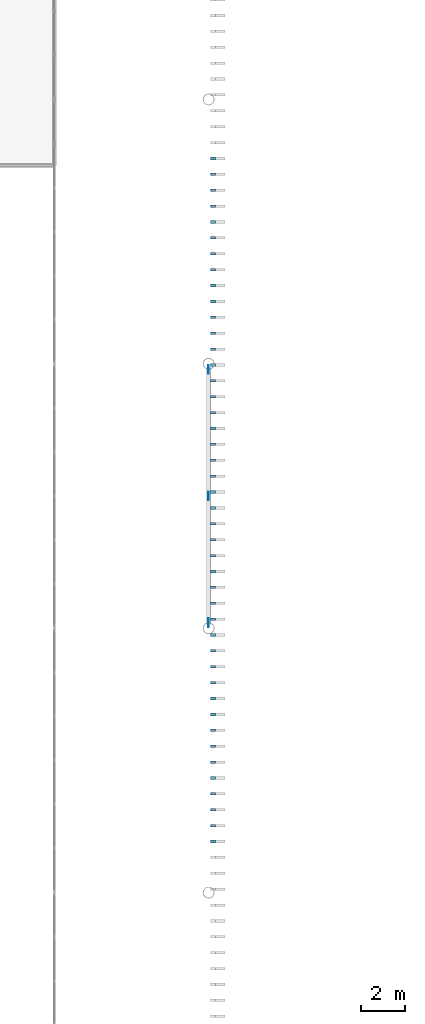
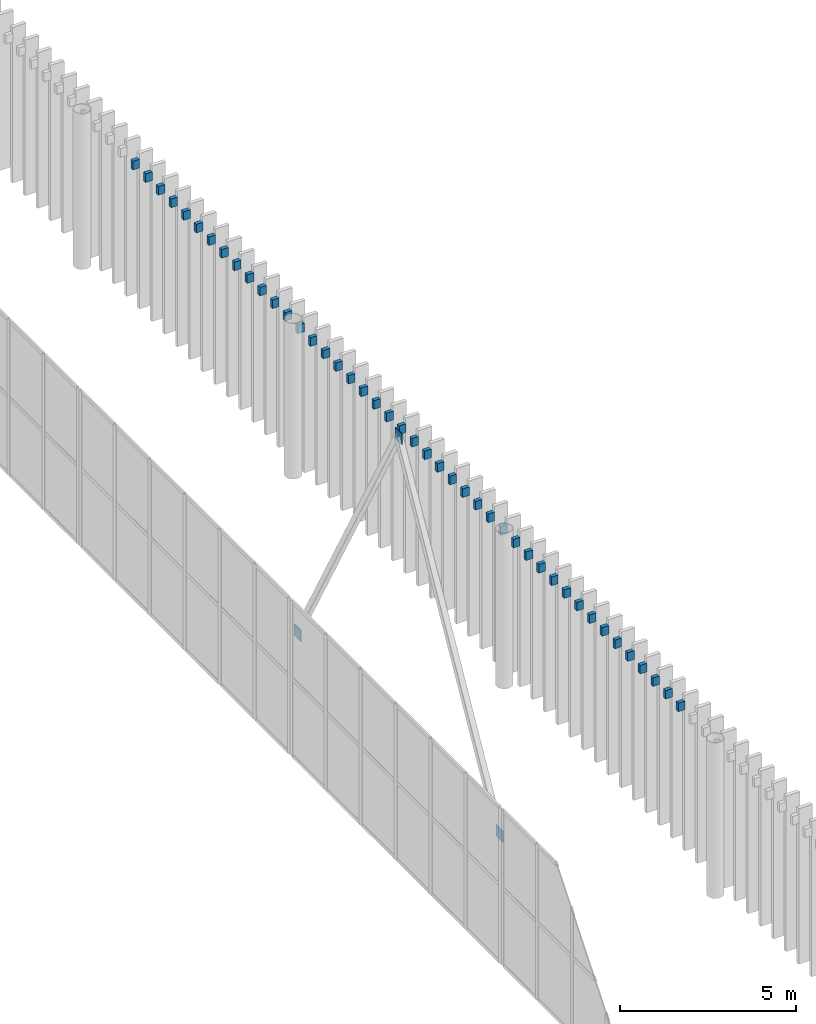
# One storey, part 147 of 170: 47 discrete accessories.
"""IFC4 building model written with IfcOpenShell, lengths in metres."""

from ifc_helpers import new_model, si_unit, direction, frame, origin, origin_2d, place, context, subcontext, project, spatial, rectangle, extrude, material, material_profile, profile_set, type_object, element, save


model = new_model("IFC4")

# Units and contexts
model_context = context("Model", 3, precision=1e-05, world=origin(), true_north=direction((0.0, 1.0)))
body_context = subcontext(model_context, "Body", "Model", "MODEL_VIEW")
ifc_project = project(units=[si_unit("LENGTHUNIT", "METRE"), si_unit("AREAUNIT", "SQUARE_METRE"), si_unit("VOLUMEUNIT", "CUBIC_METRE"), si_unit("PLANEANGLEUNIT", "RADIAN"), si_unit("MASSUNIT", "GRAM", prefix="KILO")], contexts=[model_context])

# Site, building, storey
site_placement = place(None, origin())
site = spatial("IfcSite", under=ifc_project, at=site_placement, CompositionType="ELEMENT")
building_placement = place(site_placement, origin())
building = spatial("IfcBuilding", under=site, at=building_placement, Name="Ravi Spectrum Wholesale Market", CompositionType="ELEMENT")
storey_placement = place(building_placement, frame((0.0, 0.0, 5.39990234375)))
storey = spatial("IfcBuildingStorey", under=building, at=storey_placement, Name="L01", CompositionType="ELEMENT", Elevation=5.39990234375)

# Discrete accessories
ifc_material_1 = material(Name="Steel S355", Category="steel")
discrete_accessory_type_1 = type_object("IfcDiscreteAccessoryType", Name="Fin bracket 120", PredefinedType="BRACKET", material=ifc_material_1)
for number, where, z_axis, x_axis, name in (
    (1, (110.199951171875, 140.317626953125, 4.89990234375), (0.0, 0.0, 1.0), (0.0, 1.0, 0.0), "Fin bracket B507"),
    (2, (110.199951171875, 141.03857421875, 4.89990234375), (0.0, 0.0, 1.0), (0.0, 1.0, 0.0), "Fin bracket B508"),
    (3, (110.199951171875, 141.759765625, 4.89990234375), (0.0, 0.0, 1.0), (0.0, 1.0, 0.0), "Fin bracket B509"),
    (4, (110.199951171875, 142.480712890625, 4.89990234375), (0.0, 0.0, 1.0), (0.0, 1.0, 0.0), "Fin bracket B510"),
    (5, (110.199951171875, 143.20166015625, 4.89990234375), (0.0, 0.0, 1.0), (0.0, 1.0, 0.0), "Fin bracket B511"),
    (6, (110.199951171875, 143.9228515625, 4.89990234375), (0.0, 0.0, 1.0), (0.0, 1.0, 0.0), "Fin bracket B512"),
    (7, (110.199951171875, 144.643798828125, 4.89990234375), (0.0, 0.0, 1.0), (0.0, 1.0, 0.0), "Fin bracket B513"),
    (8, (110.199951171875, 145.36474609375, 4.89990234375), (0.0, 0.0, 1.0), (0.0, 1.0, 0.0), "Fin bracket B514"),
    (9, (110.199951171875, 146.0859375, 4.89990234375), (0.0, 0.0, 1.0), (0.0, 1.0, 0.0), "Fin bracket B515"),
    (10, (110.199951171875, 146.806884765625, 4.89990234375), (0.0, 0.0, 1.0), (0.0, 1.0, 0.0), "Fin bracket B516"),
    (11, (110.199951171875, 147.52783203125, 4.89990234375), (0.0, 0.0, 1.0), (0.0, 1.0, 0.0), "Fin bracket B517"),
    (12, (110.199951171875, 148.2490234375, 4.89990234375), (0.0, 0.0, 1.0), (0.0, 1.0, 0.0), "Fin bracket B518"),
    (13, (110.199951171875, 148.969970703125, 4.89990234375), (0.0, 0.0, 1.0), (0.0, 1.0, 0.0), "Fin bracket B519"),
    (14, (110.199951171875, 149.69091796875, 4.89990234375), (0.0, 0.0, 1.0), (0.0, 1.0, 0.0), "Fin bracket B520"),
    (15, (110.199951171875, 150.412109375, 4.89990234375), (0.0, 0.0, 1.0), (0.0, 1.0, 0.0), "Fin bracket B521"),
    (16, (110.199951171875, 151.133056640625, 4.89990234375), (0.0, 0.0, 1.0), (0.0, 1.0, 0.0), "Fin bracket B522"),
    (17, (110.199951171875, 151.85400390625, 4.89990234375), (0.0, 0.0, 1.0), (0.0, 1.0, 0.0), "Fin bracket B523"),
    (18, (110.199951171875, 152.5751953125, 4.89990234375), (0.0, 0.0, 1.0), (0.0, 1.0, 0.0), "Fin bracket B524"),
    (19, (110.199951171875, 153.296142578125, 4.89990234375), (0.0, 0.0, 1.0), (0.0, 1.0, 0.0), "Fin bracket B525"),
    (20, (110.199951171875, 154.01708984375, 4.89990234375), (0.0, 0.0, 1.0), (0.0, 1.0, 0.0), "Fin bracket B526"),
    (21, (110.199951171875, 154.73828125, 4.89990234375), (0.0, 0.0, 1.0), (0.0, 1.0, 0.0), "Fin bracket B527"),
    (22, (110.199951171875, 155.459228515625, 4.89990234375), (0.0, 0.0, 1.0), (0.0, 1.0, 0.0), "Fin bracket B528"),
    (23, (110.199951171875, 156.18017578125, 4.89990234375), (0.0, 0.0, 1.0), (0.0, 1.0, 0.0), "Fin bracket B529"),
    (24, (110.199951171875, 156.9013671875, 4.89990234375), (0.0, 0.0, 1.0), (0.0, 1.0, 0.0), "Fin bracket B530"),
    (25, (110.199951171875, 157.622314453125, 4.89990234375), (0.0, 0.0, 1.0), (0.0, 1.0, 0.0), "Fin bracket B531"),
    (26, (110.199951171875, 158.34326171875, 4.89990234375), (0.0, 0.0, 1.0), (0.0, 1.0, 0.0), "Fin bracket B532"),
    (27, (110.199951171875, 159.064453125, 4.89990234375), (0.0, 0.0, 1.0), (0.0, 1.0, 0.0), "Fin bracket B533"),
    (28, (110.199951171875, 159.785400390625, 4.89990234375), (0.0, 0.0, 1.0), (0.0, 1.0, 0.0), "Fin bracket B534"),
    (29, (110.199951171875, 160.50634765625, 4.89990234375), (0.0, 0.0, 1.0), (0.0, 1.0, 0.0), "Fin bracket B535"),
    (30, (110.199951171875, 161.2275390625, 4.89990234375), (0.0, 0.0, 1.0), (0.0, 1.0, 0.0), "Fin bracket B536"),
    (31, (110.199951171875, 161.948486328125, 4.89990234375), (0.0, 0.0, 1.0), (0.0, 1.0, 0.0), "Fin bracket B537"),
    (32, (110.199951171875, 162.66943359375, 4.89990234375), (0.0, 0.0, 1.0), (0.0, 1.0, 0.0), "Fin bracket B538"),
    (33, (110.199951171875, 163.390625, 4.89990234375), (0.0, 0.0, 1.0), (0.0, 1.0, 0.0), "Fin bracket B539"),
    (34, (110.199951171875, 164.111572265625, 4.89990234375), (0.0, 0.0, 1.0), (0.0, 1.0, 0.0), "Fin bracket B540"),
    (35, (110.199951171875, 164.83251953125, 4.89990234375), (0.0, 0.0, 1.0), (0.0, 1.0, 0.0), "Fin bracket B541"),
    (36, (110.199951171875, 165.5537109375, 4.89990234375), (0.0, 0.0, 1.0), (0.0, 1.0, 0.0), "Fin bracket B542"),
    (37, (110.199951171875, 166.274658203125, 4.89990234375), (0.0, 0.0, 1.0), (0.0, 1.0, 0.0), "Fin bracket B543"),
    (38, (110.199951171875, 166.99560546875, 4.89990234375), (0.0, 0.0, 1.0), (0.0, 1.0, 0.0), "Fin bracket B544"),
    (39, (110.199951171875, 167.716796875, 4.89990234375), (0.0, 0.0, 1.0), (0.0, 1.0, 0.0), "Fin bracket B545"),
    (40, (110.199951171875, 168.437744140625, 4.89990234375), (0.0, 0.0, 1.0), (0.0, 1.0, 0.0), "Fin bracket B546"),
    (41, (110.199951171875, 169.15869140625, 4.89990234375), (0.0, 0.0, 1.0), (0.0, 1.0, 0.0), "Fin bracket B547"),
    (42, (110.199951171875, 169.8798828125, 4.89990234375), (0.0, 0.0, 1.0), (0.0, 1.0, 0.0), "Fin bracket B548"),
    (43, (110.199951171875, 170.600830078125, 4.89990234375), (0.0, 0.0, 1.0), (0.0, 1.0, 0.0), "Fin bracket B549"),
    (44, (110.199951171875, 171.32177734375, 4.89990234375), (0.0, 0.0, 1.0), (0.0, 1.0, 0.0), "Fin bracket B550"),
):
    element("IfcDiscreteAccessory", number, at=place(storey_placement, frame(where, z_axis=z_axis, x_axis=x_axis)), inside=storey, type_object=discrete_accessory_type_1, Name=name, PredefinedType="BRACKET", context=body_context, shape_type="SweptSolid", body=[
        extrude(rectangle(XDim=0.1201171875, YDim=0.219970703125, at=origin_2d()), origin(), (0.0, 0.0, 1.0), 0.300048828125),
    ])
ifc_material_2 = material(Name="Steel S355", Category="steel")
ifc_material_profile = material_profile(ifc_material_2, rectangle(XDim=0.39990234375, YDim=0.02001953125, at=origin_2d()))
ifc_profile_set = profile_set([ifc_material_profile], Name="Steel S355")
discrete_accessory_type_2 = type_object("IfcDiscreteAccessoryType", Name="Gusset plate 400x400x20", PredefinedType="BRACKET", material=ifc_profile_set)
discrete_accessory_1_placement = place(storey_placement, frame((110.0, 150.25390625, -5.55078125), z_axis=(0.0, 0.0, 1.0), x_axis=(0.0, 1.0, 0.0)))
element("IfcDiscreteAccessory", 45, at=discrete_accessory_1_placement, inside=storey, type_object=discrete_accessory_type_2, Name="Gusset plate", PredefinedType="BRACKET", context=body_context, shape_type="SweptSolid", body=[
    extrude(rectangle(XDim=0.39990234375, YDim=0.02001953125, at=origin_2d()), origin(), (0.0, 0.0, 1.0), 0.39990234375),
])
discrete_accessory_2_placement = place(storey_placement, frame((110.0, 156.0, 4.75), z_axis=(0.0, 0.0, 1.0), x_axis=(0.0, 1.0, 0.0)))
element("IfcDiscreteAccessory", 46, at=discrete_accessory_2_placement, inside=storey, type_object=discrete_accessory_type_2, Name="Gusset plate", PredefinedType="BRACKET", context=body_context, shape_type="SweptSolid", body=[
    extrude(rectangle(XDim=0.39990234375, YDim=0.02001953125, at=origin_2d()), origin(), (0.0, 0.0, 1.0), 0.400146484375),
])
discrete_accessory_3_placement = place(storey_placement, frame((110.0, 161.74609375, -5.55078125), z_axis=(0.0, 0.0, 1.0), x_axis=(0.0, -1.0, 0.0)))
element("IfcDiscreteAccessory", 47, at=discrete_accessory_3_placement, inside=storey, type_object=discrete_accessory_type_2, Name="Gusset plate", PredefinedType="BRACKET", context=body_context, shape_type="SweptSolid", body=[
    extrude(rectangle(XDim=0.39990234375, YDim=0.02001953125, at=origin_2d()), origin(), (0.0, 0.0, 1.0), 0.39990234375),
])

save(model, "model.ifc")
